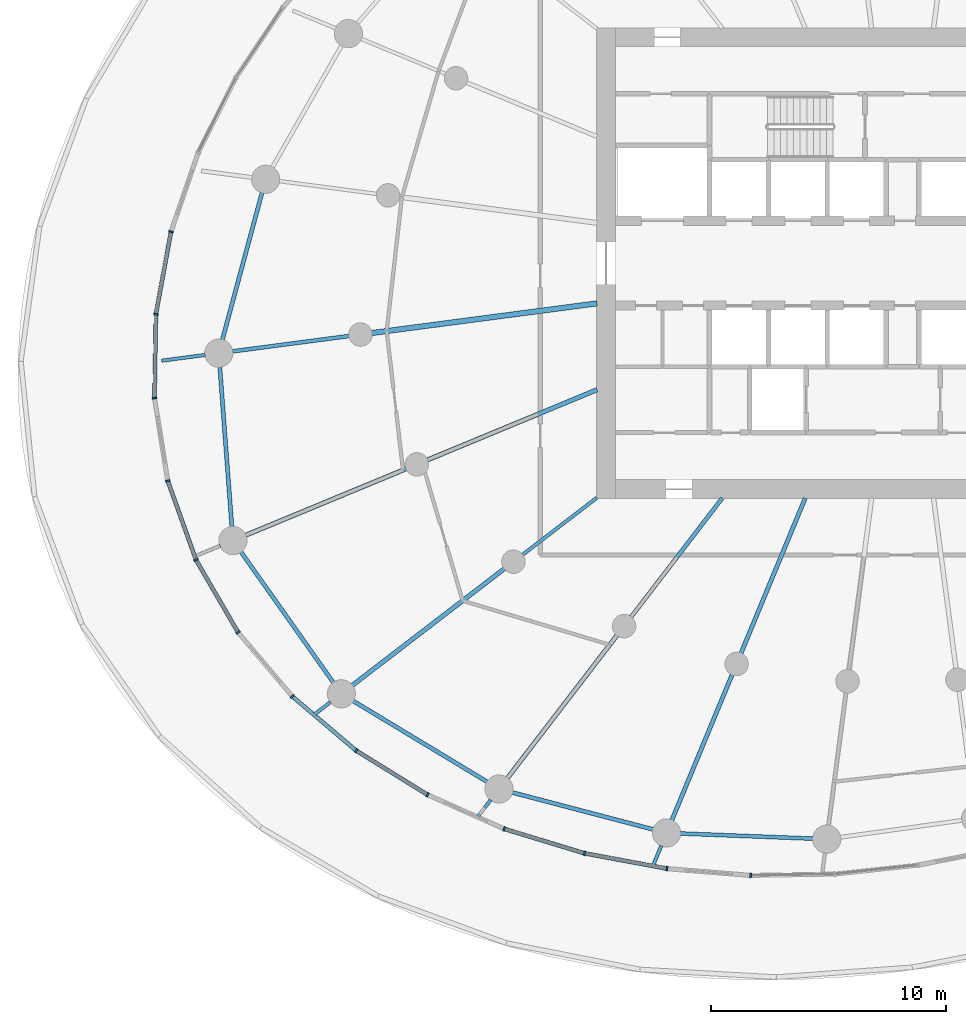
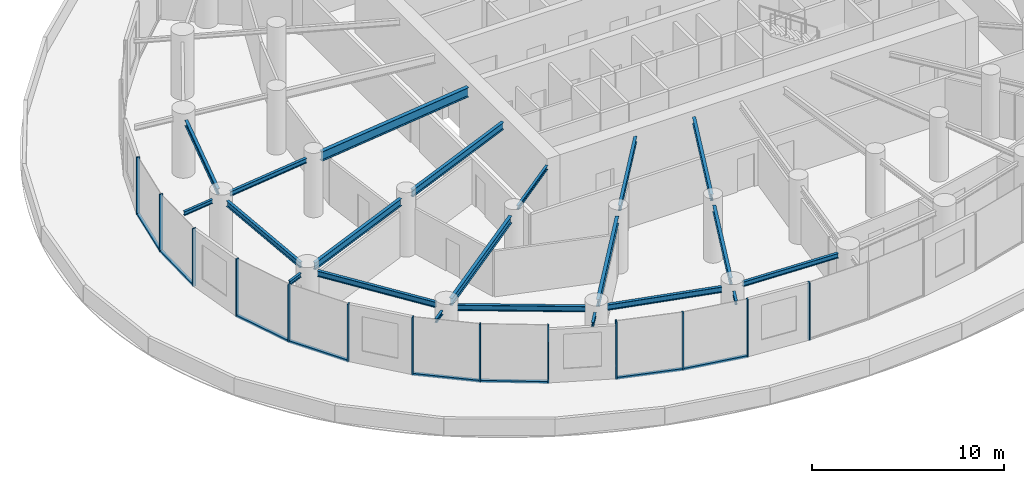
# One storey, part 2 of 24: 21 beams, 21 members, 3 elements without a shape of their own.
"""IFC4 building model written with IfcOpenShell, lengths in metres."""

from ifc_helpers import new_model, si_unit, direction, frame, origin, origin_2d, place, context, subcontext, project, spatial, rectangle, i_section, extrude, source, transform, mapped, material, layer, layer_set, material_profile, profile_set, type_object, element, aggregate, save


model = new_model("IFC4")

# Units and contexts
model_context = context("Model", 3, precision=1e-05, world=origin(), true_north=direction((0.0, 1.0)))
body_context = subcontext(model_context, "Body", "Model", "MODEL_VIEW")
ifc_project = project(units=[si_unit("LENGTHUNIT", "METRE"), si_unit("AREAUNIT", "SQUARE_METRE"), si_unit("VOLUMEUNIT", "CUBIC_METRE"), si_unit("PLANEANGLEUNIT", "RADIAN"), si_unit("MASSUNIT", "GRAM", prefix="KILO")], contexts=[model_context])

# Site, building, storey
site_placement = place(None, origin())
site = spatial("IfcSite", under=ifc_project, at=site_placement, CompositionType="ELEMENT")
building_placement = place(site_placement, origin())
building = spatial("IfcBuilding", under=site, at=building_placement, Name="Spindrift Exchange Tower", CompositionType="ELEMENT")
storey_placement = place(building_placement, frame((0.0, 0.0, 79.800048828125)))
storey = spatial("IfcBuildingStorey", under=building, at=storey_placement, Name="L18", CompositionType="ELEMENT", Elevation=79.800048828125)

# Beams
ifc_material_1 = material(Name="Steel Grade 300", Category="steel")
ifc_material_profile_1 = material_profile(ifc_material_1, i_section(OverallWidth=0.22802734375, OverallDepth=0.60693359375, WebThickness=0.01123046875, FlangeThickness=0.017333984375, FilletRadius=0.013916015625, at=origin_2d()), Name="610UB113")
ifc_profile_set_1 = profile_set([ifc_material_profile_1], Name="Steel Grade 300")
beam_type_1 = type_object("IfcBeamType", Name="Floor Beam 610UB113 Steel Grade 300", PredefinedType="BEAM", material=ifc_profile_set_1)
shared_shape_1 = source(origin(), body_context, "Body", "SweptSolid", [
    extrude(i_section(OverallWidth=0.22802734375, OverallDepth=0.60693359375, WebThickness=0.01123046875, FlangeThickness=0.017333984375, FilletRadius=0.013916015625, at=origin_2d()), origin(), (0.0, 0.0, 1.0), 9.660400390625),
])
beam_1_placement = place(storey_placement, frame((39.019775390625, 46.291015625, 3.396484375), z_axis=(-0.99144767089, -0.130504850054, 0.0), x_axis=(0.130504850054, -0.99144767089, 0.0)))
element("IfcBeam", 1, at=beam_1_placement, inside=storey, type_object=beam_type_1, Name="L18 radial beam R13A", PredefinedType="BEAM", context=body_context, shape_type="MappedRepresentation", body=[
    mapped(shared_shape_1, transform((0.0, 0.0, 0.0), scale=1.0)),
])
ifc_material_profile_2 = material_profile(ifc_material_1, i_section(OverallWidth=0.18994140625, OverallDepth=0.45703125, WebThickness=0.009033203125, FlangeThickness=0.014404296875, FilletRadius=0.013916015625, at=origin_2d()), Name="460UB74.6")
ifc_profile_set_2 = profile_set([ifc_material_profile_2], Name="Steel Grade 300")
beam_type_2 = type_object("IfcBeamType", Name="Floor Beam 460UB74.6 Steel Grade 300", PredefinedType="BEAM", material=ifc_profile_set_2)
shared_shape_2 = source(origin(), body_context, "Body", "SweptSolid", [
    extrude(i_section(OverallWidth=0.18994140625, OverallDepth=0.45703125, WebThickness=0.009033203125, FlangeThickness=0.014404296875, FilletRadius=0.013916015625, at=origin_2d()), origin(), (0.0, 0.0, 1.0), 7.808837890625),
])
beam_2_placement = place(storey_placement, frame((39.0185546875, 42.622802734375, 3.471435546875), z_axis=(-0.92387965154, -0.382683145003, 0.0), x_axis=(0.382683145003, -0.92387965154, 0.0)))
element("IfcBeam", 2, at=beam_2_placement, inside=storey, type_object=beam_type_2, Name="L18 radial beam R14A", PredefinedType="BEAM", context=body_context, shape_type="MappedRepresentation", body=[
    mapped(shared_shape_2, transform((0.0, 0.0, 0.0), scale=1.0)),
])
ifc_material_profile_3 = material_profile(ifc_material_1, i_section(OverallWidth=0.14599609375, OverallDepth=0.251953125, WebThickness=0.006103515625, FlangeThickness=0.008544921875, FilletRadius=0.011962890625, at=origin_2d()), Name="250UB31.4")
ifc_profile_set_3 = profile_set([ifc_material_profile_3], Name="Steel Grade 300")
beam_type_3 = type_object("IfcBeamType", Name="Floor Beam 250UB31.4 Steel Grade 300", PredefinedType="BEAM", material=ifc_profile_set_3)
shared_shape_3 = source(origin(), body_context, "Body", "SweptSolid", [
    extrude(i_section(OverallWidth=0.14599609375, OverallDepth=0.251953125, WebThickness=0.006103515625, FlangeThickness=0.008544921875, FilletRadius=0.011962890625, at=origin_2d()), origin(), (0.0, 0.0, 1.0), 3.99560546875),
])
beam_3_placement = place(storey_placement, frame((39.015869140625, 38.036865234375, 3.573974609375), z_axis=(-0.793352561574, -0.608762443851, 0.0), x_axis=(0.608762443851, -0.793352561574, 0.0)))
element("IfcBeam", 3, at=beam_3_placement, inside=storey, type_object=beam_type_3, Name="L18 radial beam R15A", PredefinedType="BEAM", context=body_context, shape_type="MappedRepresentation", body=[
    mapped(shared_shape_3, transform((0.0, 0.0, 0.0), scale=1.0)),
])
ifc_material_profile_4 = material_profile(ifc_material_1, i_section(OverallWidth=0.172119140625, OverallDepth=0.35888671875, WebThickness=0.008056640625, FlangeThickness=0.012939453125, FilletRadius=0.013916015625, at=origin_2d()), Name="360UB56.7")
ifc_profile_set_4 = profile_set([ifc_material_profile_4], Name="Steel Grade 300")
beam_type_4 = type_object("IfcBeamType", Name="Floor Beam 360UB56.7 Steel Grade 300", PredefinedType="BEAM", material=ifc_profile_set_4)
shared_shape_4 = source(origin(), body_context, "Body", "SweptSolid", [
    extrude(i_section(OverallWidth=0.172119140625, OverallDepth=0.35888671875, WebThickness=0.008056640625, FlangeThickness=0.012939453125, FilletRadius=0.013916015625, at=origin_2d()), origin(), (0.0, 0.0, 1.0), 6.37646484375),
])
beam_4_placement = place(storey_placement, frame((44.3388671875, 38.015869140625, 3.5205078125), z_axis=(-0.608766669952, -0.793349318747, 0.0), x_axis=(0.793349318747, -0.608766669952, 0.0)))
element("IfcBeam", 4, at=beam_4_placement, inside=storey, type_object=beam_type_4, Name="L18 radial beam R16A", PredefinedType="BEAM", context=body_context, shape_type="MappedRepresentation", body=[
    mapped(shared_shape_4, transform((0.0, 0.0, 0.0), scale=1.0)),
])
ifc_material_profile_5 = material_profile(ifc_material_1, i_section(OverallWidth=0.177978515625, OverallDepth=0.406005859375, WebThickness=0.0078125, FlangeThickness=0.0126953125, FilletRadius=0.013916015625, at=origin_2d()), Name="410UB59.7")
ifc_profile_set_5 = profile_set([ifc_material_profile_5], Name="Steel Grade 300")
beam_type_5 = type_object("IfcBeamType", Name="Floor Beam 410UB59.7 Steel Grade 300", PredefinedType="BEAM", material=ifc_profile_set_5)
shared_shape_5 = source(origin(), body_context, "Body", "SweptSolid", [
    extrude(i_section(OverallWidth=0.177978515625, OverallDepth=0.406005859375, WebThickness=0.0078125, FlangeThickness=0.0126953125, FilletRadius=0.013916015625, at=origin_2d()), origin(), (0.0, 0.0, 1.0), 7.150634765625),
])
beam_5_placement = place(storey_placement, frame((47.865478515625, 38.0185546875, 3.4970703125), z_axis=(-0.382665393358, -0.923887004306, 0.0), x_axis=(0.923887004306, -0.382665393358, 0.0)))
element("IfcBeam", 5, at=beam_5_placement, inside=storey, type_object=beam_type_5, Name="L18 radial beam R17A", PredefinedType="BEAM", context=body_context, shape_type="MappedRepresentation", body=[
    mapped(shared_shape_5, transform((0.0, 0.0, 0.0), scale=1.0)),
])
ifc_material_profile_6 = material_profile(ifc_material_1, i_section(OverallWidth=0.1650390625, OverallDepth=0.303955078125, WebThickness=0.006103515625, FlangeThickness=0.01025390625, FilletRadius=0.011474609375, at=origin_2d()), Name="310UB40.4")
ifc_profile_set_6 = profile_set([ifc_material_profile_6], Name="Steel Grade 300")
beam_type_6 = type_object("IfcBeamType", Name="Floor Beam 310UB40.4 Steel Grade 300", PredefinedType="BEAM", material=ifc_profile_set_6)
shared_shape_6 = source(origin(), body_context, "Body", "SweptSolid", [
    extrude(i_section(OverallWidth=0.1650390625, OverallDepth=0.303955078125, WebThickness=0.006103515625, FlangeThickness=0.01025390625, FilletRadius=0.011474609375, at=origin_2d()), origin(), (0.0, 0.0, 1.0), 5.014404296875),
])
beam_6_placement = place(storey_placement, frame((28.490234375, 44.90478515625, 3.5478515625), z_axis=(-0.99145015202, -0.13048599948, 0.0), x_axis=(0.13048599948, -0.99145015202, 0.0)))
element("IfcBeam", 6, at=beam_6_placement, inside=storey, type_object=beam_type_6, Name="L18 radial beam R13B", PredefinedType="BEAM", context=body_context, shape_type="MappedRepresentation", body=[
    mapped(shared_shape_6, transform((0.0, 0.0, 0.0), scale=1.0)),
])
shared_shape_7 = source(origin(), body_context, "Body", "SweptSolid", [
    extrude(i_section(OverallWidth=0.18994140625, OverallDepth=0.45703125, WebThickness=0.009033203125, FlangeThickness=0.014404296875, FilletRadius=0.013916015625, at=origin_2d()), origin(), (0.0, 0.0, 1.0), 7.400146484375),
])
beam_7_placement = place(storey_placement, frame((30.917236328125, 39.26708984375, 3.471435546875), z_axis=(-0.923886957755, -0.382665505749, 0.0), x_axis=(0.382665505749, -0.923886957755, 0.0)))
element("IfcBeam", 7, at=beam_7_placement, inside=storey, type_object=beam_type_2, Name="L18 radial beam R14B", PredefinedType="BEAM", context=body_context, shape_type="MappedRepresentation", body=[
    mapped(shared_shape_7, transform((0.0, 0.0, 0.0), scale=1.0)),
])
shared_shape_8 = source(origin(), body_context, "Body", "SweptSolid", [
    extrude(i_section(OverallWidth=0.18994140625, OverallDepth=0.45703125, WebThickness=0.009033203125, FlangeThickness=0.014404296875, FilletRadius=0.013916015625, at=origin_2d()), origin(), (0.0, 0.0, 1.0), 8.158447265625),
])
beam_8_placement = place(storey_placement, frame((35.08447265625, 35.020263671875, 3.471435546875), z_axis=(-0.793358732539, -0.608754401631, 0.0), x_axis=(0.608754401631, -0.793358732539, 0.0)))
element("IfcBeam", 8, at=beam_8_placement, inside=storey, type_object=beam_type_2, Name="L18 radial beam R15B", PredefinedType="BEAM", context=body_context, shape_type="MappedRepresentation", body=[
    mapped(shared_shape_8, transform((0.0, 0.0, 0.0), scale=1.0)),
])
shared_shape_9 = source(origin(), body_context, "Body", "SweptSolid", [
    extrude(i_section(OverallWidth=0.18994140625, OverallDepth=0.45703125, WebThickness=0.009033203125, FlangeThickness=0.014404296875, FilletRadius=0.013916015625, at=origin_2d()), origin(), (0.0, 0.0, 1.0), 7.663818359375),
])
beam_9_placement = place(storey_placement, frame((39.872802734375, 32.1953125, 3.471435546875), z_axis=(-0.608771227503, -0.793345821546, 0.0), x_axis=(0.793345821546, -0.608771227503, 0.0)))
element("IfcBeam", 9, at=beam_9_placement, inside=storey, type_object=beam_type_2, Name="L18 radial beam R16B", PredefinedType="BEAM", context=body_context, shape_type="MappedRepresentation", body=[
    mapped(shared_shape_9, transform((0.0, 0.0, 0.0), scale=1.0)),
])
shared_shape_10 = source(origin(), body_context, "Body", "SweptSolid", [
    extrude(i_section(OverallWidth=0.177978515625, OverallDepth=0.406005859375, WebThickness=0.0078125, FlangeThickness=0.0126953125, FilletRadius=0.013916015625, at=origin_2d()), origin(), (0.0, 0.0, 1.0), 6.71240234375),
])
beam_10_placement = place(storey_placement, frame((44.76171875, 30.525146484375, 3.4970703125), z_axis=(-0.382669812754, -0.923885173821, 0.0), x_axis=(0.923885173821, -0.382669812754, 0.0)))
element("IfcBeam", 10, at=beam_10_placement, inside=storey, type_object=beam_type_5, Name="L18 radial beam R17B", PredefinedType="BEAM", context=body_context, shape_type="MappedRepresentation", body=[
    mapped(shared_shape_10, transform((0.0, 0.0, 0.0), scale=1.0)),
])
ifc_material_profile_7 = material_profile(ifc_material_1, i_section(OverallWidth=0.14599609375, OverallDepth=0.251953125, WebThickness=0.006103515625, FlangeThickness=0.008544921875, FilletRadius=0.011962890625, at=origin_2d()), Name="250UB31.4")
ifc_profile_set_7 = profile_set([ifc_material_profile_7], Name="Steel Grade 300")
beam_type_7 = type_object("IfcBeamType", Name="Cantilever Beam 250UB31.4 Steel Grade 300", PredefinedType="BEAM", material=ifc_profile_set_7)
shared_shape_11 = source(origin(), body_context, "Body", "SweptSolid", [
    extrude(i_section(OverallWidth=0.14599609375, OverallDepth=0.251953125, WebThickness=0.006103515625, FlangeThickness=0.008544921875, FilletRadius=0.011962890625, at=origin_2d()), origin(), (0.0, 0.0, 1.0), 1.867919921875),
])
beam_11_placement = place(storey_placement, frame((22.36865234375, 44.09912109375, 3.573974609375), z_axis=(-0.991437826512, -0.130579616175, 0.0), x_axis=(0.130579616175, -0.991437826512, 0.0)))
element("IfcBeam", 11, at=beam_11_placement, inside=storey, type_object=beam_type_7, Name="L18 cantilever beam R13T", PredefinedType="BEAM", context=body_context, shape_type="MappedRepresentation", body=[
    mapped(shared_shape_11, transform((0.0, 0.0, 0.0), scale=1.0)),
])
shared_shape_12 = source(origin(), body_context, "Body", "SweptSolid", [
    extrude(i_section(OverallWidth=0.14599609375, OverallDepth=0.251953125, WebThickness=0.006103515625, FlangeThickness=0.008544921875, FilletRadius=0.011962890625, at=origin_2d()), origin(), (0.0, 0.0, 1.0), 0.97998046875),
])
beam_12_placement = place(storey_placement, frame((23.0087890625, 35.991455078125, 3.573974609375), z_axis=(-0.923907545268, -0.382615796585, 0.0), x_axis=(0.382615796585, -0.923907545268, 0.0)))
element("IfcBeam", 12, at=beam_12_placement, inside=storey, type_object=beam_type_7, Name="L18 cantilever beam R14T", PredefinedType="BEAM", context=body_context, shape_type="MappedRepresentation", body=[
    mapped(shared_shape_12, transform((0.0, 0.0, 0.0), scale=1.0)),
])
shared_shape_13 = source(origin(), body_context, "Body", "SweptSolid", [
    extrude(i_section(OverallWidth=0.14599609375, OverallDepth=0.251953125, WebThickness=0.006103515625, FlangeThickness=0.008544921875, FilletRadius=0.011962890625, at=origin_2d()), origin(), (0.0, 0.0, 1.0), 0.873291015625),
])
beam_13_placement = place(storey_placement, frame((27.691650390625, 29.347412109375, 3.573974609375), z_axis=(-0.793444337949, -0.608642820196, 0.0), x_axis=(0.608642820196, -0.793444337949, 0.0)))
element("IfcBeam", 13, at=beam_13_placement, inside=storey, type_object=beam_type_7, Name="L18 cantilever beam R15T", PredefinedType="BEAM", context=body_context, shape_type="MappedRepresentation", body=[
    mapped(shared_shape_13, transform((0.0, 0.0, 0.0), scale=1.0)),
])
shared_shape_14 = source(origin(), body_context, "Body", "SweptSolid", [
    extrude(i_section(OverallWidth=0.14599609375, OverallDepth=0.251953125, WebThickness=0.006103515625, FlangeThickness=0.008544921875, FilletRadius=0.011962890625, at=origin_2d()), origin(), (0.0, 0.0, 1.0), 0.95166015625),
])
beam_14_placement = place(storey_placement, frame((34.501220703125, 25.195068359375, 3.573974609375), z_axis=(-0.608830050209, -0.793300680677, 0.0), x_axis=(0.793300680677, -0.608830050209, 0.0)))
element("IfcBeam", 14, at=beam_14_placement, inside=storey, type_object=beam_type_7, Name="L18 cantilever beam R16T", PredefinedType="BEAM", context=body_context, shape_type="MappedRepresentation", body=[
    mapped(shared_shape_14, transform((0.0, 0.0, 0.0), scale=1.0)),
])
shared_shape_15 = source(origin(), body_context, "Body", "SweptSolid", [
    extrude(i_section(OverallWidth=0.14599609375, OverallDepth=0.251953125, WebThickness=0.006103515625, FlangeThickness=0.008544921875, FilletRadius=0.011962890625, at=origin_2d()), origin(), (0.0, 0.0, 1.0), 0.926025390625),
])
beam_15_placement = place(storey_placement, frame((41.7490234375, 23.251953125, 3.573974609375), z_axis=(-0.38281747839, -0.923823997436, 0.0), x_axis=(0.923823997436, -0.38281747839, 0.0)))
element("IfcBeam", 15, at=beam_15_placement, inside=storey, type_object=beam_type_7, Name="L18 cantilever beam R17T", PredefinedType="BEAM", context=body_context, shape_type="MappedRepresentation", body=[
    mapped(shared_shape_15, transform((0.0, 0.0, 0.0), scale=1.0)),
])
ifc_material_profile_8 = material_profile(ifc_material_1, i_section(OverallWidth=0.172119140625, OverallDepth=0.35888671875, WebThickness=0.008056640625, FlangeThickness=0.012939453125, FilletRadius=0.013916015625, at=origin_2d()), Name="360UB56.7")
ifc_profile_set_8 = profile_set([ifc_material_profile_8], Name="Steel Grade 300")
beam_type_8 = type_object("IfcBeamType", Name="Edge Beam 360UB56.7 Steel Grade 300", PredefinedType="SPANDREL", material=ifc_profile_set_8)
shared_shape_16 = source(origin(), body_context, "Body", "SweptSolid", [
    extrude(i_section(OverallWidth=0.172119140625, OverallDepth=0.35888671875, WebThickness=0.008056640625, FlangeThickness=0.012939453125, FilletRadius=0.013916015625, at=origin_2d()), origin(), (0.0, 0.0, 1.0), 6.82373046875),
])
beam_16_placement = place(storey_placement, frame((22.9873046875, 43.59619140625, 3.5205078125), z_axis=(0.075276463877, -0.997162701863, 0.0), x_axis=(0.997162701863, 0.075276463877, 0.0)))
element("IfcBeam", 16, at=beam_16_placement, inside=storey, type_object=beam_type_8, Name="L18 edge beam E13", PredefinedType="SPANDREL", context=body_context, shape_type="MappedRepresentation", body=[
    mapped(shared_shape_16, transform((0.0, 0.0, 0.0), scale=1.0)),
])
shared_shape_17 = source(origin(), body_context, "Body", "SweptSolid", [
    extrude(i_section(OverallWidth=0.172119140625, OverallDepth=0.35888671875, WebThickness=0.008056640625, FlangeThickness=0.012939453125, FilletRadius=0.013916015625, at=origin_2d()), origin(), (0.0, 0.0, 1.0), 6.81787109375),
])
beam_17_placement = place(storey_placement, frame((23.87939453125, 35.739990234375, 3.5205078125), z_axis=(0.577526426198, -0.816371990604, 0.0), x_axis=(0.816371990604, 0.577526426198, 0.0)))
element("IfcBeam", 17, at=beam_17_placement, inside=storey, type_object=beam_type_8, Name="L18 edge beam E14", PredefinedType="SPANDREL", context=body_context, shape_type="MappedRepresentation", body=[
    mapped(shared_shape_17, transform((0.0, 0.0, 0.0), scale=1.0)),
])
shared_shape_18 = source(origin(), body_context, "Body", "SweptSolid", [
    extrude(i_section(OverallWidth=0.172119140625, OverallDepth=0.35888671875, WebThickness=0.008056640625, FlangeThickness=0.012939453125, FilletRadius=0.013916015625, at=origin_2d()), origin(), (0.0, 0.0, 1.0), 6.668701171875),
])
beam_18_placement = place(storey_placement, frame((28.6484375, 29.40087890625, 3.5205078125), z_axis=(0.856133207479, -0.516755194508, 0.0), x_axis=(0.516755194508, 0.856133207479, 0.0)))
element("IfcBeam", 18, at=beam_18_placement, inside=storey, type_object=beam_type_8, Name="L18 edge beam E15", PredefinedType="SPANDREL", context=body_context, shape_type="MappedRepresentation", body=[
    mapped(shared_shape_18, transform((0.0, 0.0, 0.0), scale=1.0)),
])
shared_shape_19 = source(origin(), body_context, "Body", "SweptSolid", [
    extrude(i_section(OverallWidth=0.172119140625, OverallDepth=0.35888671875, WebThickness=0.008056640625, FlangeThickness=0.012939453125, FilletRadius=0.013916015625, at=origin_2d()), origin(), (0.0, 0.0, 1.0), 6.197509765625),
])
beam_19_placement = place(storey_placement, frame((35.415283203125, 25.508056640625, 3.5205078125), z_axis=(0.967254420813, -0.253808757567, 0.0), x_axis=(0.253808757567, 0.967254420813, 0.0)))
element("IfcBeam", 19, at=beam_19_placement, inside=storey, type_object=beam_type_8, Name="L18 edge beam E16", PredefinedType="SPANDREL", context=body_context, shape_type="MappedRepresentation", body=[
    mapped(shared_shape_19, transform((0.0, 0.0, 0.0), scale=1.0)),
])
ifc_material_profile_9 = material_profile(ifc_material_1, i_section(OverallWidth=0.1650390625, OverallDepth=0.303955078125, WebThickness=0.006103515625, FlangeThickness=0.01025390625, FilletRadius=0.011474609375, at=origin_2d()), Name="310UB40.4")
ifc_profile_set_9 = profile_set([ifc_material_profile_9], Name="Steel Grade 300")
beam_type_9 = type_object("IfcBeamType", Name="Edge Beam 310UB40.4 Steel Grade 300", PredefinedType="SPANDREL", material=ifc_profile_set_9)
shared_shape_20 = source(origin(), body_context, "Body", "SweptSolid", [
    extrude(i_section(OverallWidth=0.1650390625, OverallDepth=0.303955078125, WebThickness=0.006103515625, FlangeThickness=0.01025390625, FilletRadius=0.011474609375, at=origin_2d()), origin(), (0.0, 0.0, 1.0), 5.65185546875),
])
beam_20_placement = place(storey_placement, frame((42.550537109375, 23.765380859375, 3.5478515625), z_axis=(0.99924397539, -0.038877726865, 0.0), x_axis=(0.038877726865, 0.99924397539, 0.0)))
element("IfcBeam", 20, at=beam_20_placement, inside=storey, type_object=beam_type_9, Name="L18 edge beam E17", PredefinedType="SPANDREL", context=body_context, shape_type="MappedRepresentation", body=[
    mapped(shared_shape_20, transform((0.0, 0.0, 0.0), scale=1.0)),
])
shared_shape_21 = source(origin(), body_context, "Body", "SweptSolid", [
    extrude(i_section(OverallWidth=0.172119140625, OverallDepth=0.35888671875, WebThickness=0.008056640625, FlangeThickness=0.012939453125, FilletRadius=0.013916015625, at=origin_2d()), origin(), (0.0, 0.0, 1.0), 6.4921875),
])
beam_21_placement = place(storey_placement, frame((24.784423828125, 51.003173828125, 3.5205078125), z_axis=(-0.260262058381, -0.965538016324, 0.0), x_axis=(0.965538016324, -0.260262058381, 0.0)))
element("IfcBeam", 21, at=beam_21_placement, inside=storey, type_object=beam_type_8, Name="L18 edge beam E12", PredefinedType="SPANDREL", context=body_context, shape_type="MappedRepresentation", body=[
    mapped(shared_shape_21, transform((0.0, 0.0, 0.0), scale=1.0)),
])

# Curtain wall, members
ifc_material_2 = material(Name="Fritted laminated glass with bronze frame", Category="glass")
ifc_layer = layer(ifc_material_2, 0.18994140625)
ifc_layer_set = layer_set([ifc_layer], Name="ZONE 2 BRONZE FRITTED WALL")
curtain_wall_type = type_object("IfcCurtainWallType", Name="ZONE 2 BRONZE FRITTED WALL", PredefinedType="NOTDEFINED", material=ifc_layer_set)
curtain_wall_1_placement = place(storey_placement, origin())
curtain_wall_1 = element("IfcCurtainWall", 22, at=curtain_wall_1_placement, inside=storey, type_object=curtain_wall_type, Name="L18 Zone 2 Bronze Fritted Wall run 3", PredefinedType="NOTDEFINED")
ifc_material_3 = material(Name="Bronze anodised aluminium", Category="aluminium")
ifc_material_profile_10 = material_profile(ifc_material_3, rectangle(XDim=0.074951171875, YDim=0.18994140625, at=origin_2d()), Name="ZONE 2 BRONZE FRITTED WALL MULLION 75X190")
ifc_profile_set_10 = profile_set([ifc_material_profile_10], Name="Bronze anodised aluminium")
member_type_1 = type_object("IfcMemberType", Name="ZONE 2 BRONZE FRITTED WALL MULLION 75X190", PredefinedType="MULLION", material=ifc_profile_set_10)
shared_shape_22 = source(origin(), body_context, "Body", "SweptSolid", [
    extrude(rectangle(XDim=0.074951171875, YDim=0.18994140625, at=origin_2d()), origin(), (0.0, 0.0, 1.0), 3.699951171875),
])
member_1_placement = place(storey_placement, frame((20.9150390625, 49.33447265625, 0.0), z_axis=(0.0, 0.0, 1.0), x_axis=(-0.253369964284, -0.967369454345, 0.0)))
member_1 = element("IfcMember", 23, at=member_1_placement, type_object=member_type_1, Name="L18 mullion CW-2.15", PredefinedType="MULLION", context=body_context, shape_type="MappedRepresentation", body=[
    mapped(shared_shape_22, transform((0.0, 0.0, 0.0), scale=1.0)),
])
member_2_placement = place(storey_placement, frame((20.272705078125, 45.828857421875, 0.0), z_axis=(0.0, 0.0, 1.0), x_axis=(-0.098916488793, -0.995095738231, 0.0)))
member_2 = element("IfcMember", 24, at=member_2_placement, type_object=member_type_1, Name="L18 mullion CW-2.16", PredefinedType="MULLION", context=body_context, shape_type="MappedRepresentation", body=[
    mapped(shared_shape_22, transform((0.0, 0.0, 0.0), scale=1.0)),
])
member_3_placement = place(storey_placement, frame((20.21240234375, 42.265869140625, 0.0), z_axis=(0.0, 0.0, 1.0), x_axis=(0.071175539997, -0.997463805111, 0.0)))
member_3 = element("IfcMember", 25, at=member_3_placement, type_object=member_type_1, Name="L18 mullion CW-2.17", PredefinedType="MULLION", context=body_context, shape_type="MappedRepresentation", body=[
    mapped(shared_shape_22, transform((0.0, 0.0, 0.0), scale=1.0)),
])
member_4_placement = place(storey_placement, frame((20.778076171875, 38.748291015625, 0.0), z_axis=(0.0, 0.0, 1.0), x_axis=(0.248483758415, -0.968636062618, 0.0)))
member_4 = element("IfcMember", 26, at=member_4_placement, type_object=member_type_1, Name="L18 mullion CW-2.18", PredefinedType="MULLION", context=body_context, shape_type="MappedRepresentation", body=[
    mapped(shared_shape_22, transform((0.0, 0.0, 0.0), scale=1.0)),
])

curtain_wall_2_placement = place(storey_placement, origin())
curtain_wall_2 = element("IfcCurtainWall", 27, at=curtain_wall_2_placement, inside=storey, type_object=curtain_wall_type, Name="L18 Zone 2 Bronze Fritted Wall run 4", PredefinedType="NOTDEFINED")
member_5_placement = place(storey_placement, frame((21.9755859375, 35.392822265625, 0.0), z_axis=(0.0, 0.0, 1.0), x_axis=(0.420964399264, -0.907077160198, 0.0)))
member_5 = element("IfcMember", 28, at=member_5_placement, type_object=member_type_1, Name="L18 mullion CW-2.19", PredefinedType="MULLION", context=body_context, shape_type="MappedRepresentation", body=[
    mapped(shared_shape_22, transform((0.0, 0.0, 0.0), scale=1.0)),
])
member_6_placement = place(storey_placement, frame((23.764892578125, 32.31201171875, 0.0), z_axis=(0.0, 0.0, 1.0), x_axis=(0.576454688476, -0.81712911595, 0.0)))
member_6 = element("IfcMember", 29, at=member_6_placement, type_object=member_type_1, Name="L18 mullion CW-2.20", PredefinedType="MULLION", context=body_context, shape_type="MappedRepresentation", body=[
    mapped(shared_shape_22, transform((0.0, 0.0, 0.0), scale=1.0)),
])
member_7_placement = place(storey_placement, frame((26.067626953125, 29.59228515625, 0.0), z_axis=(0.0, 0.0, 1.0), x_axis=(0.706609147143, -0.707604065261, 0.0)))
member_7 = element("IfcMember", 30, at=member_7_placement, type_object=member_type_1, Name="L18 mullion CW-2.21", PredefinedType="MULLION", context=body_context, shape_type="MappedRepresentation", body=[
    mapped(shared_shape_22, transform((0.0, 0.0, 0.0), scale=1.0)),
])
member_8_placement = place(storey_placement, frame((28.784423828125, 27.28564453125, 0.0), z_axis=(0.0, 0.0, 1.0), x_axis=(0.808612266756, -0.588341909141, 0.0)))
member_8 = element("IfcMember", 31, at=member_8_placement, type_object=member_type_1, Name="L18 mullion CW-2.22", PredefinedType="MULLION", context=body_context, shape_type="MappedRepresentation", body=[
    mapped(shared_shape_22, transform((0.0, 0.0, 0.0), scale=1.0)),
])
member_9_placement = place(storey_placement, frame((31.81591796875, 25.41015625, 0.0), z_axis=(0.0, 0.0, 1.0), x_axis=(0.88410305037, -0.467291981877, 0.0)))
member_9 = element("IfcMember", 32, at=member_9_placement, type_object=member_type_1, Name="L18 mullion CW-2.23", PredefinedType="MULLION", context=body_context, shape_type="MappedRepresentation", body=[
    mapped(shared_shape_22, transform((0.0, 0.0, 0.0), scale=1.0)),
])
member_10_placement = place(storey_placement, frame((35.073486328125, 23.96142578125, 0.0), z_axis=(0.0, 0.0, 1.0), x_axis=(0.936950385958, -0.349462407496, 0.0)))
member_10 = element("IfcMember", 33, at=member_10_placement, type_object=member_type_1, Name="L18 mullion CW-2.24", PredefinedType="MULLION", context=body_context, shape_type="MappedRepresentation", body=[
    mapped(shared_shape_22, transform((0.0, 0.0, 0.0), scale=1.0)),
])

curtain_wall_3_placement = place(storey_placement, origin())
curtain_wall_3 = element("IfcCurtainWall", 34, at=curtain_wall_3_placement, inside=storey, type_object=curtain_wall_type, Name="L18 Zone 2 Bronze Fritted Wall run 5", PredefinedType="NOTDEFINED")
member_11_placement = place(storey_placement, frame((38.484619140625, 22.9228515625, 0.0), z_axis=(0.0, 0.0, 1.0), x_axis=(0.971422341758, -0.2373576077, 0.0)))
member_11 = element("IfcMember", 35, at=member_11_placement, type_object=member_type_1, Name="L18 mullion CW-2.25", PredefinedType="MULLION", context=body_context, shape_type="MappedRepresentation", body=[
    mapped(shared_shape_22, transform((0.0, 0.0, 0.0), scale=1.0)),
])
member_12_placement = place(storey_placement, frame((41.99072265625, 22.271484375, 0.0), z_axis=(0.0, 0.0, 1.0), x_axis=(0.99128356312, -0.131745578629, 0.0)))
member_12 = element("IfcMember", 36, at=member_12_placement, type_object=member_type_1, Name="L18 mullion CW-2.26", PredefinedType="MULLION", context=body_context, shape_type="MappedRepresentation", body=[
    mapped(shared_shape_22, transform((0.0, 0.0, 0.0), scale=1.0)),
])
member_13_placement = place(storey_placement, frame((45.54541015625, 21.984375, 0.0), z_axis=(0.0, 0.0, 1.0), x_axis=(0.999473725284, -0.032438749465, 0.0)))
member_13 = element("IfcMember", 37, at=member_13_placement, type_object=member_type_1, Name="L18 mullion CW-2.27", PredefinedType="MULLION", context=body_context, shape_type="MappedRepresentation", body=[
    mapped(shared_shape_22, transform((0.0, 0.0, 0.0), scale=1.0)),
])
ifc_material_profile_11 = material_profile(ifc_material_3, rectangle(XDim=0.169921875, YDim=0.139892578125, at=origin_2d()), Name="ZONE 2 BRONZE FRITTED WALL TRANSOM 170X140")
ifc_profile_set_11 = profile_set([ifc_material_profile_11], Name="Bronze anodised aluminium")
member_type_2 = type_object("IfcMemberType", Name="ZONE 2 BRONZE FRITTED WALL TRANSOM 170X140", PredefinedType="USERDEFINED", material=ifc_profile_set_11)
shared_shape_23 = source(origin(), body_context, "Body", "SweptSolid", [
    extrude(rectangle(XDim=0.169921875, YDim=0.139892578125, at=origin_2d()), origin(), (0.0, 0.0, 1.0), 3.4912109375),
])
member_14_placement = place(storey_placement, frame((38.521484375, 22.916015625, 0.070068359375), z_axis=(0.983175641109, -0.182662691129, 0.0), x_axis=(0.182662691129, 0.983175641109, 0.0)))
member_14 = element("IfcMember", 38, at=member_14_placement, type_object=member_type_2, Name="L18 transom CW-2.25", ObjectType="TRANSOM", PredefinedType="USERDEFINED", context=body_context, shape_type="MappedRepresentation", body=[
    mapped(shared_shape_23, transform((0.0, 0.0, 0.0), scale=1.0)),
])
aggregate(curtain_wall_3, [member_11, member_14, member_12, member_13])

# Member
shared_shape_24 = source(origin(), body_context, "Body", "SweptSolid", [
    extrude(rectangle(XDim=0.169921875, YDim=0.139892578125, at=origin_2d()), origin(), (0.0, 0.0, 1.0), 3.489013671875),
])
member_15_placement = place(storey_placement, frame((20.908447265625, 49.297607421875, 0.070068359375), z_axis=(-0.180252271892, -0.983620413817, 0.0), x_axis=(0.983620413817, -0.180252271892, 0.0)))
member_15 = element("IfcMember", 39, at=member_15_placement, type_object=member_type_2, Name="L18 transom CW-2.15", ObjectType="TRANSOM", PredefinedType="USERDEFINED", context=body_context, shape_type="MappedRepresentation", body=[
    mapped(shared_shape_24, transform((0.0, 0.0, 0.0), scale=1.0)),
])

member_16_placement = place(storey_placement, frame((26.09619140625, 29.568115234375, 0.070068359375), z_axis=(0.762281051439, -0.647246165394, 0.0), x_axis=(0.647246165394, 0.762281051439, 0.0)))
member_16 = element("IfcMember", 40, at=member_16_placement, type_object=member_type_2, Name="L18 transom CW-2.21", ObjectType="TRANSOM", PredefinedType="USERDEFINED", context=body_context, shape_type="MappedRepresentation", body=[
    mapped(shared_shape_24, transform((0.0, 0.0, 0.0), scale=1.0)),
])

shared_shape_25 = source(origin(), body_context, "Body", "SweptSolid", [
    extrude(rectangle(XDim=0.169921875, YDim=0.139892578125, at=origin_2d()), origin(), (0.0, 0.0, 1.0), 3.48828125),
])
member_17_placement = place(storey_placement, frame((20.272216796875, 45.791259765625, 0.070068359375), z_axis=(-0.016937231294, -0.99985655481, 0.0), x_axis=(0.99985655481, -0.016937231294, 0.0)))
member_17 = element("IfcMember", 41, at=member_17_placement, type_object=member_type_2, Name="L18 transom CW-2.16", ObjectType="TRANSOM", PredefinedType="USERDEFINED", context=body_context, shape_type="MappedRepresentation", body=[
    mapped(shared_shape_25, transform((0.0, 0.0, 0.0), scale=1.0)),
])

shared_shape_26 = source(origin(), body_context, "Body", "SweptSolid", [
    extrude(rectangle(XDim=0.169921875, YDim=0.139892578125, at=origin_2d()), origin(), (0.0, 0.0, 1.0), 3.487548828125),
])
member_18_placement = place(storey_placement, frame((20.79052734375, 38.712890625, 0.070068359375), z_axis=(0.336150140458, -0.941808411021, 0.0), x_axis=(0.941808411021, 0.336150140458, 0.0)))
member_18 = element("IfcMember", 42, at=member_18_placement, type_object=member_type_2, Name="L18 transom CW-2.18", ObjectType="TRANSOM", PredefinedType="USERDEFINED", context=body_context, shape_type="MappedRepresentation", body=[
    mapped(shared_shape_26, transform((0.0, 0.0, 0.0), scale=1.0)),
])

aggregate(curtain_wall_1, [member_1, member_15, member_2, member_17, member_3, member_4, member_18])

shared_shape_27 = source(origin(), body_context, "Body", "SweptSolid", [
    extrude(rectangle(XDim=0.169921875, YDim=0.139892578125, at=origin_2d()), origin(), (0.0, 0.0, 1.0), 3.48779296875),
])
member_19_placement = place(storey_placement, frame((21.994384765625, 35.3603515625, 0.070068359375), z_axis=(0.502255412685, -0.864719318871, 0.0), x_axis=(0.864719318871, 0.502255412685, 0.0)))
member_19 = element("IfcMember", 43, at=member_19_placement, type_object=member_type_2, Name="L18 transom CW-2.19", ObjectType="TRANSOM", PredefinedType="USERDEFINED", context=body_context, shape_type="MappedRepresentation", body=[
    mapped(shared_shape_27, transform((0.0, 0.0, 0.0), scale=1.0)),
])

shared_shape_28 = source(origin(), body_context, "Body", "SweptSolid", [
    extrude(rectangle(XDim=0.169921875, YDim=0.139892578125, at=origin_2d()), origin(), (0.0, 0.0, 1.0), 3.489501953125),
])
member_20_placement = place(storey_placement, frame((28.81640625, 27.265869140625, 0.070068359375), z_axis=(0.850406763384, -0.52612578039, 0.0), x_axis=(0.52612578039, 0.850406763384, 0.0)))
member_20 = element("IfcMember", 44, at=member_20_placement, type_object=member_type_2, Name="L18 transom CW-2.22", ObjectType="TRANSOM", PredefinedType="USERDEFINED", context=body_context, shape_type="MappedRepresentation", body=[
    mapped(shared_shape_28, transform((0.0, 0.0, 0.0), scale=1.0)),
])

shared_shape_29 = source(origin(), body_context, "Body", "SweptSolid", [
    extrude(rectangle(XDim=0.169921875, YDim=0.139892578125, at=origin_2d()), origin(), (0.0, 0.0, 1.0), 3.49072265625),
])
member_21_placement = place(storey_placement, frame((35.109375, 23.95068359375, 0.070068359375), z_axis=(0.956632366824, -0.291297982733, 0.0), x_axis=(0.291297982733, 0.956632366824, 0.0)))
member_21 = element("IfcMember", 45, at=member_21_placement, type_object=member_type_2, Name="L18 transom CW-2.24", ObjectType="TRANSOM", PredefinedType="USERDEFINED", context=body_context, shape_type="MappedRepresentation", body=[
    mapped(shared_shape_29, transform((0.0, 0.0, 0.0), scale=1.0)),
])

aggregate(curtain_wall_2, [member_5, member_19, member_6, member_7, member_16, member_8, member_20, member_9, member_10, member_21])

save(model, "model.ifc")
